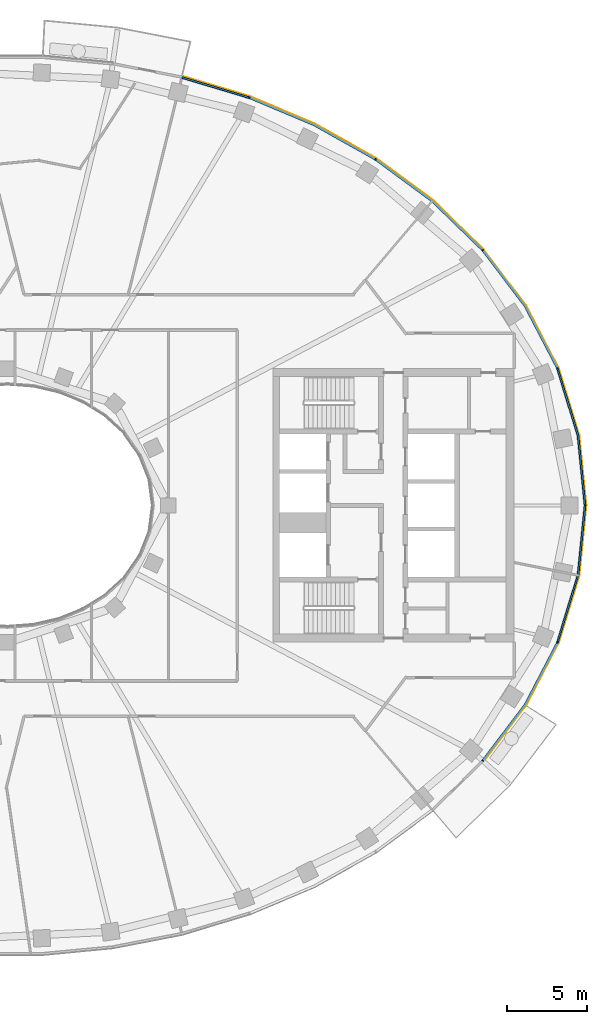
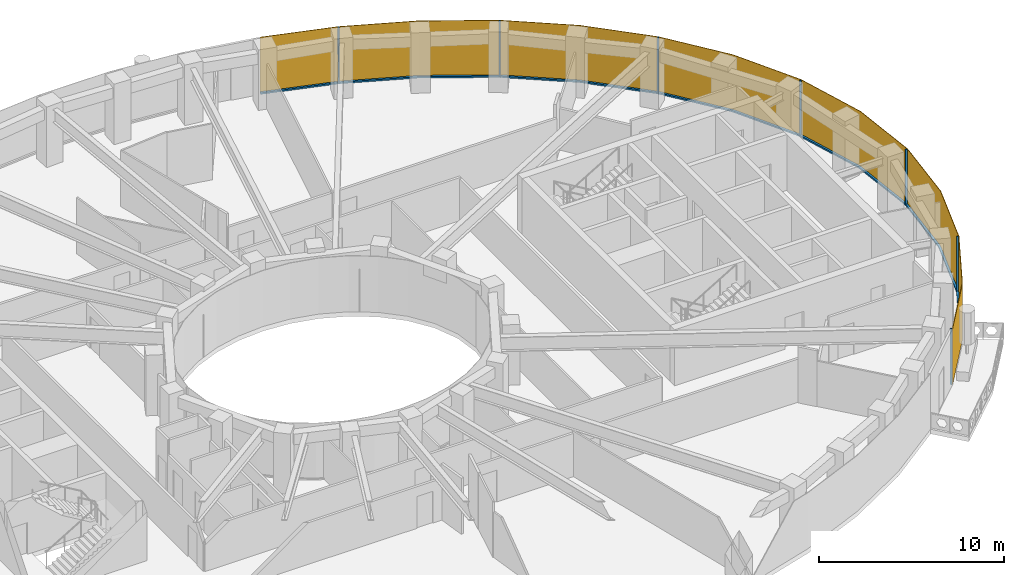
# One storey, part 13 of 16: 14 members, 1 curtain wall.
"""IFC4 building model written with IfcOpenShell, lengths in metres."""

from ifc_helpers import new_model, si_unit, direction, frame, origin, origin_2d, place, context, subcontext, project, spatial, polyline, rectangle, outline, extrude, material, layer, layer_set, material_profile, profile_set, type_object, element, aggregate, save


model = new_model("IFC4")

# Units and contexts
model_context = context("Model", 3, precision=1e-05, world=origin(), true_north=direction((0.0, 1.0)))
body_context = subcontext(model_context, "Body", "Model", "MODEL_VIEW")
ifc_project = project(units=[si_unit("LENGTHUNIT", "METRE"), si_unit("AREAUNIT", "SQUARE_METRE"), si_unit("VOLUMEUNIT", "CUBIC_METRE"), si_unit("PLANEANGLEUNIT", "RADIAN"), si_unit("MASSUNIT", "GRAM", prefix="KILO")], contexts=[model_context])

# Member
ifc_material_1 = material(Name="Aluminium 6063-T6 black anodised", Category="aluminium")
ifc_material_profile = material_profile(ifc_material_1, rectangle(XDim=0.1201171875, YDim=0.06005859375, at=origin_2d()), Name="120x60")
ifc_profile_set = profile_set([ifc_material_profile], Name="Aluminium 6063-T6 black anodised")
member_type_1 = type_object("IfcMemberType", Name="ENV-MULLION-A-120", PredefinedType="MULLION", material=ifc_profile_set)
site_placement = place(None, origin())
building_placement = place(site_placement, origin())
storey_placement = place(building_placement, frame((0.0, 0.0, 261.5)))
member_1_placement = place(storey_placement, frame((29.53857421875, -15.8671875, 0.0), z_axis=(0.0, 0.0, 1.0), x_axis=(-0.749047221705, 0.662516610853, 0.0)))
member_1 = element("IfcMember", 1, at=member_1_placement, type_object=member_type_1, Name="Mullion A radial 43", PredefinedType="MULLION", context=body_context, shape_type="SweptSolid", body=[
    extrude(rectangle(XDim=0.1201171875, YDim=0.06005859375, at=origin_2d()), origin(), (0.0, 0.0, 1.0), 3.699951171875),
])

member_2_placement = place(storey_placement, frame((34.19580078125, -8.513916015625, 0.0), z_axis=(0.0, 0.0, 1.0), x_axis=(-0.92546738067, 0.378827305398, 0.0)))
member_2 = element("IfcMember", 2, at=member_2_placement, type_object=member_type_1, Name="Mullion A radial 45", PredefinedType="MULLION", context=body_context, shape_type="SweptSolid", body=[
    extrude(rectangle(XDim=0.1201171875, YDim=0.06005859375, at=origin_2d()), origin(), (0.0, 0.0, 1.0), 3.699951171875),
])

member_3_placement = place(storey_placement, frame((35.907958984375, 0.0, 0.0), z_axis=(0.0, 0.0, 1.0), x_axis=(-1.0, 0.0, 0.0)))
member_3 = element("IfcMember", 3, at=member_3_placement, type_object=member_type_1, Name="Mullion A radial 01", PredefinedType="MULLION", context=body_context, shape_type="SweptSolid", body=[
    extrude(rectangle(XDim=0.1201171875, YDim=0.06005859375, at=origin_2d()), origin(), (0.0, 0.0, 1.0), 3.699951171875),
])

member_4_placement = place(storey_placement, frame((34.19580078125, 8.513916015625, 0.0), z_axis=(0.0, 0.0, 1.0), x_axis=(-0.92546738067, -0.378827305398, 0.0)))
member_4 = element("IfcMember", 4, at=member_4_placement, type_object=member_type_1, Name="Mullion A radial 03", PredefinedType="MULLION", context=body_context, shape_type="SweptSolid", body=[
    extrude(rectangle(XDim=0.1201171875, YDim=0.06005859375, at=origin_2d()), origin(), (0.0, 0.0, 1.0), 3.699951171875),
])

member_5_placement = place(storey_placement, frame((29.53857421875, 15.8671875, 0.0), z_axis=(0.0, 0.0, 1.0), x_axis=(-0.749047221705, -0.662516610853, 0.0)))
member_5 = element("IfcMember", 5, at=member_5_placement, type_object=member_type_1, Name="Mullion A radial 05", PredefinedType="MULLION", context=body_context, shape_type="SweptSolid", body=[
    extrude(rectangle(XDim=0.1201171875, YDim=0.06005859375, at=origin_2d()), origin(), (0.0, 0.0, 1.0), 3.699951171875),
])

member_6_placement = place(storey_placement, frame((22.882568359375, 21.506591796875, 0.0), z_axis=(0.0, 0.0, 1.0), x_axis=(-0.542279153225, -0.840198381323, 0.0)))
member_6 = element("IfcMember", 6, at=member_6_placement, type_object=member_type_1, Name="Mullion A radial 07", PredefinedType="MULLION", context=body_context, shape_type="SweptSolid", body=[
    extrude(rectangle(XDim=0.1201171875, YDim=0.06005859375, at=origin_2d()), origin(), (0.0, 0.0, 1.0), 3.699951171875),
])

member_7_placement = place(storey_placement, frame((15.0341796875, 25.34375, 0.0), z_axis=(0.0, 0.0, 1.0), x_axis=(-0.338379256581, -0.941009818608, 0.0)))
member_7 = element("IfcMember", 7, at=member_7_placement, type_object=member_type_1, Name="Mullion A radial 09", PredefinedType="MULLION", context=body_context, shape_type="SweptSolid", body=[
    extrude(rectangle(XDim=0.1201171875, YDim=0.06005859375, at=origin_2d()), origin(), (0.0, 0.0, 1.0), 3.699951171875),
])

ifc_material_2 = material(Name="Aluminium 6063-T6 black anodised", Category="aluminium")
member_type_2 = type_object("IfcMemberType", Name="ENV-TRANSOM-A", PredefinedType="USERDEFINED", material=ifc_material_2)
member_8_placement = place(storey_placement, origin())
member_8 = element("IfcMember", 8, at=member_8_placement, type_object=member_type_2, Name="Transom A radial 43-45", ObjectType="TRANSOM", PredefinedType="USERDEFINED", context=body_context, shape_type="SweptSolid", body=[
    extrude(outline(polyline([(29.6005859375, -15.884521484375), (32.22802734375, -12.41748046875), (34.23828125, -8.5615234375), (34.126708984375, -8.515869140625), (32.126220703125, -12.35302734375), (29.51025390625, -15.8046875), (29.6005859375, -15.884521484375)])), origin(), (0.0, 0.0, 1.0), 0.10009765625),
])

member_9_placement = place(storey_placement, origin())
member_9 = element("IfcMember", 9, at=member_9_placement, type_object=member_type_2, Name="Transom A radial 45-01", ObjectType="TRANSOM", PredefinedType="USERDEFINED", context=body_context, shape_type="SweptSolid", body=[
    extrude(outline(polyline([(34.259521484375, -8.509765625), (35.529541015625, -4.352294921875), (35.965087890625, -0.02783203125), (35.844482421875, -0.02783203125), (35.411376953125, -4.32861328125), (34.14794921875, -8.464111328125), (34.259521484375, -8.509765625)])), origin(), (0.0, 0.0, 1.0), 0.10009765625),
])

member_10_placement = place(storey_placement, origin())
member_10 = element("IfcMember", 10, at=member_10_placement, type_object=member_type_2, Name="Transom A radial 01-03", ObjectType="TRANSOM", PredefinedType="USERDEFINED", context=body_context, shape_type="SweptSolid", body=[
    extrude(outline(polyline([(35.965087890625, 0.02783203125), (35.529541015625, 4.352294921875), (34.259521484375, 8.509765625), (34.14794921875, 8.464111328125), (35.411376953125, 4.32861328125), (35.844482421875, 0.02783203125), (35.965087890625, 0.02783203125)])), origin(), (0.0, 0.0, 1.0), 0.10009765625),
])

member_11_placement = place(storey_placement, origin())
member_11 = element("IfcMember", 11, at=member_11_placement, type_object=member_type_2, Name="Transom A radial 03-05", ObjectType="TRANSOM", PredefinedType="USERDEFINED", context=body_context, shape_type="SweptSolid", body=[
    extrude(outline(polyline([(34.23828125, 8.5615234375), (32.22802734375, 12.41748046875), (29.6005859375, 15.884521484375), (29.51025390625, 15.8046875), (32.126220703125, 12.35302734375), (34.126708984375, 8.515869140625), (34.23828125, 8.5615234375)])), origin(), (0.0, 0.0, 1.0), 0.10009765625),
])

member_12_placement = place(storey_placement, origin())
member_12 = element("IfcMember", 12, at=member_12_placement, type_object=member_type_2, Name="Transom A radial 05-07", ObjectType="TRANSOM", PredefinedType="USERDEFINED", context=body_context, shape_type="SweptSolid", body=[
    extrude(outline(polyline([(29.5634765625, 15.926513671875), (26.4423828125, 18.958740234375), (22.937744140625, 21.540283203125), (22.87255859375, 21.439208984375), (26.364501953125, 18.866943359375), (29.473388671875, 15.8466796875), (29.5634765625, 15.926513671875)])), origin(), (0.0, 0.0, 1.0), 0.10009765625),
])

member_13_placement = place(storey_placement, origin())
member_13 = element("IfcMember", 13, at=member_13_placement, type_object=member_type_2, Name="Transom A radial 07-09", ObjectType="TRANSOM", PredefinedType="USERDEFINED", context=body_context, shape_type="SweptSolid", body=[
    extrude(outline(polyline([(22.890625, 21.570556640625), (19.093994140625, 23.701416015625), (15.080322265625, 25.389404296875), (15.03955078125, 25.276123046875), (19.041259765625, 23.593505859375), (22.825439453125, 21.469482421875), (22.890625, 21.570556640625)])), origin(), (0.0, 0.0, 1.0), 0.10009765625),
])

member_14_placement = place(storey_placement, origin())
member_14 = element("IfcMember", 14, at=member_14_placement, type_object=member_type_2, Name="Transom A radial 09-10", ObjectType="TRANSOM", PredefinedType="USERDEFINED", context=body_context, shape_type="SweptSolid", body=[
    extrude(outline(polyline([(15.027587890625, 25.408203125), (10.876708984375, 26.657470703125), (10.847900390625, 26.540771484375), (14.987060546875, 25.295166015625), (15.027587890625, 25.408203125)])), origin(), (0.0, 0.0, 1.0), 0.10009765625),
])

# Site, building, storey
site = spatial("IfcSite", under=ifc_project, at=site_placement, CompositionType="ELEMENT")
building = spatial("IfcBuilding", under=site, at=building_placement, Name="Noorbagh Ring Tower", CompositionType="ELEMENT")
storey = spatial("IfcBuildingStorey", under=building, at=storey_placement, Name="L55", CompositionType="ELEMENT", Elevation=261.5)

# Curtain wall
ifc_material_3 = material(Name="Glass dark tinted laminated", Category="glass")
ifc_layer = layer(ifc_material_3, 0.031982421875)
ifc_layer_set = layer_set([ifc_layer], Name="Glass dark tinted laminated")
curtain_wall_type = type_object("IfcCurtainWallType", Name="ENV-CW-A", PredefinedType="NOTDEFINED", material=ifc_layer_set)
curtain_wall_placement = place(storey_placement, origin())
curtain_wall = element("IfcCurtainWall", 15, at=curtain_wall_placement, inside=storey, type_object=curtain_wall_type, Name="Curtain wall A R43", PredefinedType="NOTDEFINED", context=body_context, shape_type="SweptSolid", body=[
    extrude(outline(polyline([(29.61962890625, -15.912109375), (32.255126953125, -12.434814453125), (34.281005859375, -8.548828125), (35.561279296875, -4.358642578125), (36.0, 0.0), (35.561279296875, 4.358642578125), (34.281005859375, 8.548828125), (32.255126953125, 12.434814453125), (29.607666015625, 15.927978515625), (26.463134765625, 18.9833984375), (22.9326171875, 21.583740234375), (19.108154296875, 23.730224609375), (15.065185546875, 25.430419921875), (10.884521484375, 26.6884765625), (10.876708984375, 26.657470703125), (15.054443359375, 25.400146484375), (19.093994140625, 23.701416015625), (22.9150390625, 21.556884765625), (26.4423828125, 18.958740234375), (29.58349609375, 15.906982421875), (32.22802734375, 12.41748046875), (34.251220703125, 8.53662109375), (35.529541015625, 4.352294921875), (35.9677734375, 0.0), (35.529541015625, -4.352294921875), (34.251220703125, -8.53662109375), (32.22802734375, -12.41748046875), (29.595703125, -15.890869140625), (29.61962890625, -15.912109375)])), origin(), (0.0, 0.0, 1.0), 3.699951171875),
])

aggregate(curtain_wall, [member_1, member_2, member_3, member_4, member_5, member_6, member_7, member_8, member_9, member_10, member_11, member_12, member_13, member_14])

save(model, "model.ifc")
